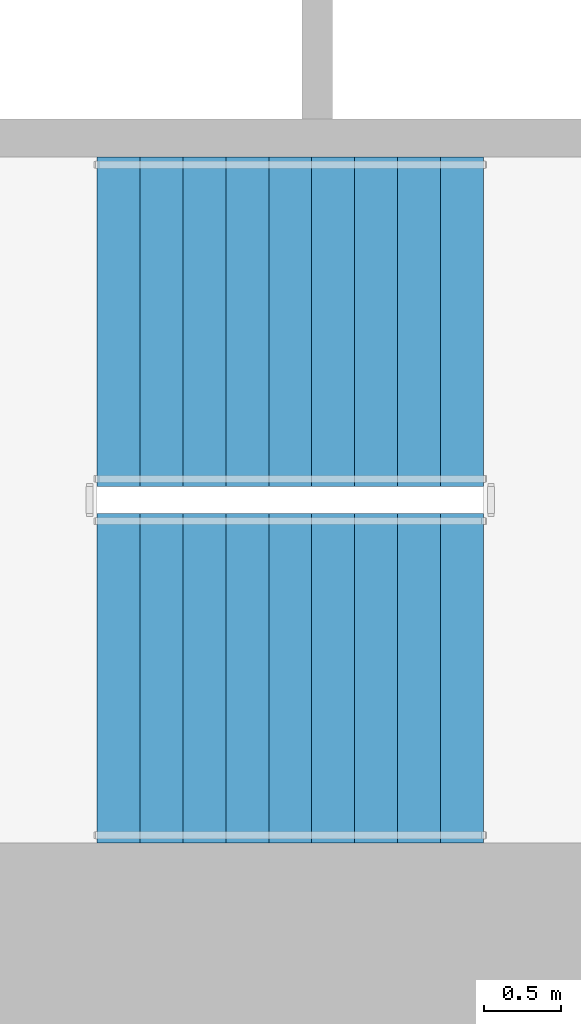
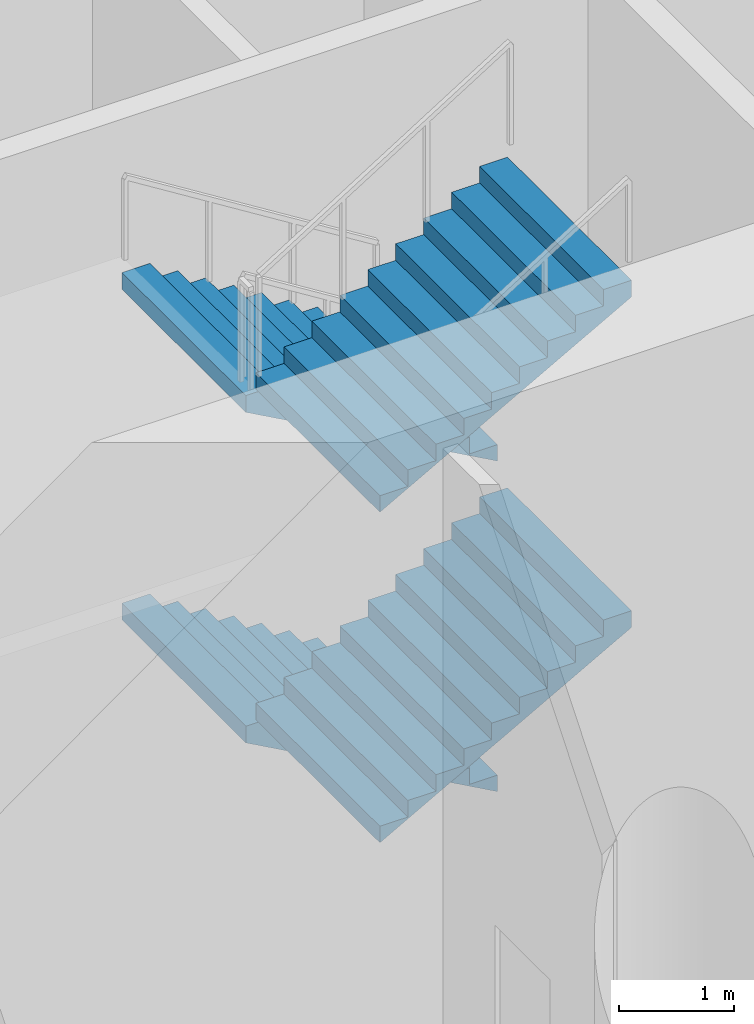
# One storey, part 15 of 22: 4 stair flights, 1 element without a shape of its own.
"""IFC4 building model written with IfcOpenShell, lengths in metres."""

from ifc_helpers import new_model, si_unit, direction, frame, origin, place, context, subcontext, project, spatial, triangles, material, type_object, element, aggregate, save


model = new_model("IFC4")

# Units and contexts
model_context = context("Model", 3, precision=1e-05, world=origin(), true_north=direction((0.0, 1.0)))
body_context = subcontext(model_context, "Body", "Model", "MODEL_VIEW")
ifc_project = project(units=[si_unit("LENGTHUNIT", "METRE"), si_unit("AREAUNIT", "SQUARE_METRE"), si_unit("VOLUMEUNIT", "CUBIC_METRE"), si_unit("PLANEANGLEUNIT", "RADIAN"), si_unit("MASSUNIT", "GRAM", prefix="KILO")], contexts=[model_context])

# Site, building, storey
site_placement = place(None, origin())
site = spatial("IfcSite", under=ifc_project, at=site_placement, CompositionType="ELEMENT")
building_placement = place(site_placement, origin())
building = spatial("IfcBuilding", under=site, at=building_placement, Name="Cypress Arch Tower", CompositionType="ELEMENT")
storey_placement = place(building_placement, frame((0.0, 0.0, 145.5)))
storey = spatial("IfcBuildingStorey", under=building, at=storey_placement, Name="L32", CompositionType="ELEMENT", Elevation=145.5)

# Stair, stair flights
ifc_material_1 = material(Name="Concrete C40/50", Category="concrete")
stair_type = type_object("IfcStairType", Name="Exit stair ES1750-215", PredefinedType="HALF_TURN_STAIR", material=ifc_material_1)
stair_placement = place(storey_placement, origin())
stair = element("IfcStair", 1, at=stair_placement, inside=storey, type_object=stair_type, Name="L32 Exit stair A", PredefinedType="HALF_TURN_STAIR")
ifc_material_2 = material(Name="Concrete C40/50", Category="concrete")
stair_flight_type = type_object("IfcStairFlightType", Name="Exit stair flight ES1750-215", PredefinedType="STRAIGHT", material=ifc_material_2)
stair_flight_1_placement = place(storey_placement, frame((-22.27490234375, -11.39990234375, 0.0), z_axis=(0.0, 0.0, 1.0), x_axis=(-1.0, 0.0, 0.0)))
stair_flight_1 = element("IfcStairFlight", 2, at=stair_flight_1_placement, type_object=stair_flight_type, Name="A flight 1", NumberOfRisers=10, NumberOfTreads=9, PredefinedType="STRAIGHT", RiserHeight=0.175, TreadLength=0.28, context=body_context, shape_type="Tessellation", body=[
    triangles([(0.0, -1.074951171875, 0.0), (0.000244140625, -1.074951171875, 0.01953125), (0.000244140625, -1.074951171875, 0.038818359375), (0.00048828125, -1.074951171875, 0.058349609375), (0.00048828125, -1.074951171875, 0.077880859375), (0.00048828125, -1.074951171875, 0.09716796875), (0.00048828125, -1.074951171875, 0.11669921875), (0.000244140625, -1.074951171875, 0.13623046875), (0.000244140625, -1.074951171875, 0.155517578125), (0.0, -1.074951171875, 0.175048828125), (0.280029296875, -1.074951171875, 0.175048828125), (0.280029296875, -1.074951171875, 0.35009765625), (0.56005859375, -1.074951171875, 0.35009765625), (0.56005859375, -1.074951171875, 0.52490234375), (0.840087890625, -1.074951171875, 0.52490234375), (0.840087890625, -1.074951171875, 0.699951171875), (1.1201171875, -1.074951171875, 0.699951171875), (1.1201171875, -1.074951171875, 0.875), (1.39990234375, -1.074951171875, 0.875), (1.39990234375, -1.074951171875, 1.050048828125), (1.679931640625, -1.074951171875, 1.050048828125), (1.679931640625, -1.074951171875, 1.22509765625), (1.9599609375, -1.074951171875, 1.22509765625), (1.9599609375, -1.074951171875, 1.39990234375), (2.239990234375, -1.074951171875, 1.39990234375), (2.239990234375, -1.074951171875, 1.574951171875), (2.52001953125, -1.074951171875, 1.574951171875), (2.519775390625, -1.074951171875, 1.555419921875), (2.519775390625, -1.074951171875, 1.53564453125), (2.51953125, -1.074951171875, 1.51611328125), (2.51953125, -1.074951171875, 1.496337890625), (2.51953125, -1.074951171875, 1.476806640625), (2.51953125, -1.074951171875, 1.45703125), (2.519775390625, -1.074951171875, 1.4375), (2.519775390625, -1.074951171875, 1.417724609375), (2.52001953125, -1.074951171875, 1.398193359375), (2.52001953125, 1.074951171875, 1.398193359375), (2.519775390625, 1.074951171875, 1.417724609375), (2.519775390625, 1.074951171875, 1.4375), (2.51953125, 1.074951171875, 1.45703125), (2.51953125, 1.074951171875, 1.476806640625), (2.51953125, 1.074951171875, 1.496337890625), (2.51953125, 1.074951171875, 1.51611328125), (2.519775390625, 1.074951171875, 1.53564453125), (2.519775390625, 1.074951171875, 1.555419921875), (2.52001953125, 1.074951171875, 1.574951171875), (2.239990234375, 1.074951171875, 1.574951171875), (2.239990234375, 1.074951171875, 1.39990234375), (1.9599609375, 1.074951171875, 1.39990234375), (1.9599609375, 1.074951171875, 1.22509765625), (1.679931640625, 1.074951171875, 1.22509765625), (1.679931640625, 1.074951171875, 1.050048828125), (1.39990234375, 1.074951171875, 1.050048828125), (1.39990234375, 1.074951171875, 0.875), (1.1201171875, 1.074951171875, 0.875), (1.1201171875, 1.074951171875, 0.699951171875), (0.840087890625, 1.074951171875, 0.699951171875), (0.840087890625, 1.074951171875, 0.52490234375), (0.56005859375, 1.074951171875, 0.52490234375), (0.56005859375, 1.074951171875, 0.35009765625), (0.280029296875, 1.074951171875, 0.35009765625), (0.280029296875, 1.074951171875, 0.175048828125), (0.0, 1.074951171875, 0.175048828125), (0.000244140625, 1.074951171875, 0.155517578125), (0.000244140625, 1.074951171875, 0.13623046875), (0.00048828125, 1.074951171875, 0.11669921875), (0.00048828125, 1.074951171875, 0.09716796875), (0.00048828125, 1.074951171875, 0.077880859375), (0.00048828125, 1.074951171875, 0.058349609375), (0.000244140625, 1.074951171875, 0.038818359375), (0.000244140625, 1.074951171875, 0.01953125), (0.0, 1.074951171875, 0.0), (2.519775390625, 0.0, 1.417724609375), (2.52001953125, 0.0, 1.398193359375), (2.519775390625, 0.0, 1.4375), (2.51953125, 0.0, 1.45703125), (2.51953125, 0.0, 1.476806640625), (2.51953125, 0.0, 1.496337890625), (2.51953125, 0.0, 1.51611328125), (2.519775390625, 0.0, 1.53564453125), (2.519775390625, 0.0, 1.555419921875), (2.52001953125, 0.0, 1.574951171875), (2.239990234375, 0.0, 1.574951171875), (2.239990234375, 0.0, 1.39990234375), (1.9599609375, 0.0, 1.39990234375), (1.9599609375, 0.0, 1.22509765625), (1.679931640625, 0.0, 1.22509765625), (1.679931640625, 0.0, 1.050048828125), (1.39990234375, 0.0, 1.050048828125), (1.39990234375, 0.0, 0.875), (1.1201171875, 0.0, 0.875), (1.1201171875, 0.0, 0.699951171875), (0.840087890625, 0.0, 0.699951171875), (0.840087890625, 0.0, 0.52490234375), (0.56005859375, 0.0, 0.52490234375), (0.56005859375, 0.0, 0.35009765625), (0.280029296875, 0.0, 0.35009765625), (0.280029296875, 0.0, 0.175048828125), (0.0, 0.0, 0.175048828125), (0.000244140625, 0.0, 0.155517578125), (0.000244140625, 0.0, 0.13623046875), (0.00048828125, 0.0, 0.11669921875), (0.00048828125, 0.0, 0.09716796875), (0.00048828125, 0.0, 0.077880859375), (0.00048828125, 0.0, 0.058349609375), (0.000244140625, 0.0, 0.038818359375), (0.000244140625, 0.0, 0.01953125), (0.0, 0.0, 0.0)], [[36, 35, 26], [35, 34, 26], [34, 33, 26], [33, 32, 26], [32, 31, 26], [31, 30, 26], [30, 29, 26], [29, 28, 26], [28, 27, 26], [19, 18, 17], [23, 22, 21], [21, 20, 19], [17, 16, 15], [13, 12, 11], [10, 9, 11], [9, 8, 11], [8, 7, 11], [7, 6, 11], [6, 5, 11], [5, 4, 11], [4, 3, 11], [3, 2, 11], [2, 1, 11], [25, 24, 23], [15, 14, 13], [36, 26, 25], [36, 25, 23], [36, 23, 21], [36, 21, 19], [36, 19, 17], [36, 17, 15], [1, 36, 15], [15, 13, 11], [15, 11, 1], [37, 47, 38], [38, 47, 39], [39, 47, 40], [40, 47, 41], [41, 47, 42], [42, 47, 43], [43, 47, 44], [44, 47, 45], [45, 47, 46], [54, 56, 55], [50, 52, 51], [52, 54, 53], [56, 58, 57], [60, 62, 61], [63, 62, 64], [64, 62, 65], [65, 62, 66], [66, 62, 67], [67, 62, 68], [68, 62, 69], [69, 62, 70], [70, 62, 71], [71, 62, 72], [48, 50, 49], [58, 60, 59], [37, 48, 47], [37, 50, 48], [37, 52, 50], [37, 54, 52], [37, 56, 54], [37, 58, 56], [72, 58, 37], [58, 62, 60], [58, 72, 62], [74, 73, 35], [74, 35, 36], [37, 38, 73], [37, 73, 74], [73, 75, 34], [73, 34, 35], [38, 39, 75], [38, 75, 73], [75, 76, 33], [75, 33, 34], [39, 40, 76], [39, 76, 75], [76, 77, 32], [76, 32, 33], [40, 41, 77], [40, 77, 76], [77, 78, 31], [77, 31, 32], [41, 42, 78], [41, 78, 77], [78, 79, 30], [78, 30, 31], [42, 43, 79], [42, 79, 78], [79, 80, 29], [79, 29, 30], [43, 44, 80], [43, 80, 79], [80, 81, 28], [80, 28, 29], [44, 45, 81], [44, 81, 80], [81, 82, 27], [81, 27, 28], [45, 46, 82], [45, 82, 81], [82, 83, 26], [82, 26, 27], [46, 47, 83], [46, 83, 82], [83, 84, 25], [83, 25, 26], [47, 48, 84], [47, 84, 83], [84, 85, 24], [84, 24, 25], [48, 49, 85], [48, 85, 84], [85, 86, 23], [85, 23, 24], [49, 50, 86], [49, 86, 85], [86, 87, 22], [86, 22, 23], [50, 51, 87], [50, 87, 86], [87, 88, 21], [87, 21, 22], [51, 52, 88], [51, 88, 87], [88, 89, 20], [88, 20, 21], [52, 53, 89], [52, 89, 88], [89, 90, 19], [89, 19, 20], [53, 54, 90], [53, 90, 89], [90, 91, 18], [90, 18, 19], [54, 55, 91], [54, 91, 90], [91, 92, 17], [91, 17, 18], [55, 56, 92], [55, 92, 91], [92, 93, 16], [92, 16, 17], [56, 57, 93], [56, 93, 92], [93, 94, 15], [93, 15, 16], [57, 58, 94], [57, 94, 93], [94, 95, 14], [94, 14, 15], [58, 59, 95], [58, 95, 94], [95, 96, 13], [95, 13, 14], [59, 60, 96], [59, 96, 95], [96, 97, 12], [96, 12, 13], [60, 61, 97], [60, 97, 96], [97, 98, 11], [97, 11, 12], [61, 62, 98], [61, 98, 97], [98, 99, 10], [98, 10, 11], [62, 63, 99], [62, 99, 98], [99, 100, 9], [99, 9, 10], [63, 64, 100], [63, 100, 99], [100, 101, 8], [100, 8, 9], [64, 65, 101], [64, 101, 100], [101, 102, 7], [101, 7, 8], [65, 66, 102], [65, 102, 101], [102, 103, 6], [102, 6, 7], [66, 67, 103], [66, 103, 102], [103, 104, 5], [103, 5, 6], [67, 68, 104], [67, 104, 103], [104, 105, 4], [104, 4, 5], [68, 69, 105], [68, 105, 104], [105, 106, 3], [105, 3, 4], [69, 70, 106], [69, 106, 105], [106, 107, 2], [106, 2, 3], [70, 71, 107], [70, 107, 106], [107, 108, 1], [107, 1, 2], [71, 72, 108], [71, 108, 107], [108, 74, 36], [108, 36, 1], [72, 37, 74], [72, 74, 108]], closed=True),
])
stair_flight_2_placement = place(storey_placement, frame((-24.794921875, -13.72509765625, 1.75), z_axis=(0.0, 0.0, 1.0), x_axis=(1.0, 0.0, 0.0)))
stair_flight_2 = element("IfcStairFlight", 3, at=stair_flight_2_placement, type_object=stair_flight_type, Name="A flight 2", NumberOfRisers=10, NumberOfTreads=9, PredefinedType="STRAIGHT", RiserHeight=0.175, TreadLength=0.28, context=body_context, shape_type="Tessellation", body=[
    triangles([(0.0, -1.074951171875, 0.0), (0.000244140625, -1.074951171875, 0.01953125), (0.000244140625, -1.074951171875, 0.038818359375), (0.00048828125, -1.074951171875, 0.058349609375), (0.00048828125, -1.074951171875, 0.077880859375), (0.00048828125, -1.074951171875, 0.09716796875), (0.00048828125, -1.074951171875, 0.11669921875), (0.000244140625, -1.074951171875, 0.13623046875), (0.000244140625, -1.074951171875, 0.155517578125), (0.0, -1.074951171875, 0.175048828125), (0.280029296875, -1.074951171875, 0.175048828125), (0.280029296875, -1.074951171875, 0.35009765625), (0.56005859375, -1.074951171875, 0.35009765625), (0.56005859375, -1.074951171875, 0.52490234375), (0.840087890625, -1.074951171875, 0.52490234375), (0.840087890625, -1.074951171875, 0.699951171875), (1.1201171875, -1.074951171875, 0.699951171875), (1.1201171875, -1.074951171875, 0.875), (1.39990234375, -1.074951171875, 0.875), (1.39990234375, -1.074951171875, 1.050048828125), (1.679931640625, -1.074951171875, 1.050048828125), (1.679931640625, -1.074951171875, 1.22509765625), (1.9599609375, -1.074951171875, 1.22509765625), (1.9599609375, -1.074951171875, 1.39990234375), (2.239990234375, -1.074951171875, 1.39990234375), (2.239990234375, -1.074951171875, 1.574951171875), (2.52001953125, -1.074951171875, 1.574951171875), (2.519775390625, -1.074951171875, 1.555419921875), (2.519775390625, -1.074951171875, 1.53564453125), (2.51953125, -1.074951171875, 1.51611328125), (2.51953125, -1.074951171875, 1.496337890625), (2.51953125, -1.074951171875, 1.476806640625), (2.51953125, -1.074951171875, 1.45703125), (2.519775390625, -1.074951171875, 1.4375), (2.519775390625, -1.074951171875, 1.417724609375), (2.52001953125, -1.074951171875, 1.398193359375), (2.52001953125, 1.074951171875, 1.398193359375), (2.519775390625, 1.074951171875, 1.417724609375), (2.519775390625, 1.074951171875, 1.4375), (2.51953125, 1.074951171875, 1.45703125), (2.51953125, 1.074951171875, 1.476806640625), (2.51953125, 1.074951171875, 1.496337890625), (2.51953125, 1.074951171875, 1.51611328125), (2.519775390625, 1.074951171875, 1.53564453125), (2.519775390625, 1.074951171875, 1.555419921875), (2.52001953125, 1.074951171875, 1.574951171875), (2.239990234375, 1.074951171875, 1.574951171875), (2.239990234375, 1.074951171875, 1.39990234375), (1.9599609375, 1.074951171875, 1.39990234375), (1.9599609375, 1.074951171875, 1.22509765625), (1.679931640625, 1.074951171875, 1.22509765625), (1.679931640625, 1.074951171875, 1.050048828125), (1.39990234375, 1.074951171875, 1.050048828125), (1.39990234375, 1.074951171875, 0.875), (1.1201171875, 1.074951171875, 0.875), (1.1201171875, 1.074951171875, 0.699951171875), (0.840087890625, 1.074951171875, 0.699951171875), (0.840087890625, 1.074951171875, 0.52490234375), (0.56005859375, 1.074951171875, 0.52490234375), (0.56005859375, 1.074951171875, 0.35009765625), (0.280029296875, 1.074951171875, 0.35009765625), (0.280029296875, 1.074951171875, 0.175048828125), (0.0, 1.074951171875, 0.175048828125), (0.000244140625, 1.074951171875, 0.155517578125), (0.000244140625, 1.074951171875, 0.13623046875), (0.00048828125, 1.074951171875, 0.11669921875), (0.00048828125, 1.074951171875, 0.09716796875), (0.00048828125, 1.074951171875, 0.077880859375), (0.00048828125, 1.074951171875, 0.058349609375), (0.000244140625, 1.074951171875, 0.038818359375), (0.000244140625, 1.074951171875, 0.01953125), (0.0, 1.074951171875, 0.0), (2.519775390625, 0.0, 1.417724609375), (2.52001953125, 0.0, 1.398193359375), (2.519775390625, 0.0, 1.4375), (2.51953125, 0.0, 1.45703125), (2.51953125, 0.0, 1.476806640625), (2.51953125, 0.0, 1.496337890625), (2.51953125, 0.0, 1.51611328125), (2.519775390625, 0.0, 1.53564453125), (2.519775390625, 0.0, 1.555419921875), (2.52001953125, 0.0, 1.574951171875), (2.239990234375, 0.0, 1.574951171875), (2.239990234375, 0.0, 1.39990234375), (1.9599609375, 0.0, 1.39990234375), (1.9599609375, 0.0, 1.22509765625), (1.679931640625, 0.0, 1.22509765625), (1.679931640625, 0.0, 1.050048828125), (1.39990234375, 0.0, 1.050048828125), (1.39990234375, 0.0, 0.875), (1.1201171875, 0.0, 0.875), (1.1201171875, 0.0, 0.699951171875), (0.840087890625, 0.0, 0.699951171875), (0.840087890625, 0.0, 0.52490234375), (0.56005859375, 0.0, 0.52490234375), (0.56005859375, 0.0, 0.35009765625), (0.280029296875, 0.0, 0.35009765625), (0.280029296875, 0.0, 0.175048828125), (0.0, 0.0, 0.175048828125), (0.000244140625, 0.0, 0.155517578125), (0.000244140625, 0.0, 0.13623046875), (0.00048828125, 0.0, 0.11669921875), (0.00048828125, 0.0, 0.09716796875), (0.00048828125, 0.0, 0.077880859375), (0.00048828125, 0.0, 0.058349609375), (0.000244140625, 0.0, 0.038818359375), (0.000244140625, 0.0, 0.01953125), (0.0, 0.0, 0.0)], [[36, 35, 26], [35, 34, 26], [34, 33, 26], [33, 32, 26], [32, 31, 26], [31, 30, 26], [30, 29, 26], [29, 28, 26], [28, 27, 26], [19, 18, 17], [23, 22, 21], [21, 20, 19], [17, 16, 15], [13, 12, 11], [10, 9, 11], [9, 8, 11], [8, 7, 11], [7, 6, 11], [6, 5, 11], [5, 4, 11], [4, 3, 11], [3, 2, 11], [2, 1, 11], [25, 24, 23], [15, 14, 13], [36, 26, 25], [36, 25, 23], [36, 23, 21], [36, 21, 19], [36, 19, 17], [36, 17, 15], [1, 36, 15], [15, 13, 11], [15, 11, 1], [37, 47, 38], [38, 47, 39], [39, 47, 40], [40, 47, 41], [41, 47, 42], [42, 47, 43], [43, 47, 44], [44, 47, 45], [45, 47, 46], [54, 56, 55], [50, 52, 51], [52, 54, 53], [56, 58, 57], [60, 62, 61], [63, 62, 64], [64, 62, 65], [65, 62, 66], [66, 62, 67], [67, 62, 68], [68, 62, 69], [69, 62, 70], [70, 62, 71], [71, 62, 72], [48, 50, 49], [58, 60, 59], [37, 48, 47], [37, 50, 48], [37, 52, 50], [37, 54, 52], [37, 56, 54], [37, 58, 56], [72, 58, 37], [58, 62, 60], [58, 72, 62], [74, 73, 35], [74, 35, 36], [37, 38, 73], [37, 73, 74], [73, 75, 34], [73, 34, 35], [38, 39, 75], [38, 75, 73], [75, 76, 33], [75, 33, 34], [39, 40, 76], [39, 76, 75], [76, 77, 32], [76, 32, 33], [40, 41, 77], [40, 77, 76], [77, 78, 31], [77, 31, 32], [41, 42, 78], [41, 78, 77], [78, 79, 30], [78, 30, 31], [42, 43, 79], [42, 79, 78], [79, 80, 29], [79, 29, 30], [43, 44, 80], [43, 80, 79], [80, 81, 28], [80, 28, 29], [44, 45, 81], [44, 81, 80], [81, 82, 27], [81, 27, 28], [45, 46, 82], [45, 82, 81], [82, 83, 26], [82, 26, 27], [46, 47, 83], [46, 83, 82], [83, 84, 25], [83, 25, 26], [47, 48, 84], [47, 84, 83], [84, 85, 24], [84, 24, 25], [48, 49, 85], [48, 85, 84], [85, 86, 23], [85, 23, 24], [49, 50, 86], [49, 86, 85], [86, 87, 22], [86, 22, 23], [50, 51, 87], [50, 87, 86], [87, 88, 21], [87, 21, 22], [51, 52, 88], [51, 88, 87], [88, 89, 20], [88, 20, 21], [52, 53, 89], [52, 89, 88], [89, 90, 19], [89, 19, 20], [53, 54, 90], [53, 90, 89], [90, 91, 18], [90, 18, 19], [54, 55, 91], [54, 91, 90], [91, 92, 17], [91, 17, 18], [55, 56, 92], [55, 92, 91], [92, 93, 16], [92, 16, 17], [56, 57, 93], [56, 93, 92], [93, 94, 15], [93, 15, 16], [57, 58, 94], [57, 94, 93], [94, 95, 14], [94, 14, 15], [58, 59, 95], [58, 95, 94], [95, 96, 13], [95, 13, 14], [59, 60, 96], [59, 96, 95], [96, 97, 12], [96, 12, 13], [60, 61, 97], [60, 97, 96], [97, 98, 11], [97, 11, 12], [61, 62, 98], [61, 98, 97], [98, 99, 10], [98, 10, 11], [62, 63, 99], [62, 99, 98], [99, 100, 9], [99, 9, 10], [63, 64, 100], [63, 100, 99], [100, 101, 8], [100, 8, 9], [64, 65, 101], [64, 101, 100], [101, 102, 7], [101, 7, 8], [65, 66, 102], [65, 102, 101], [102, 103, 6], [102, 6, 7], [66, 67, 103], [66, 103, 102], [103, 104, 5], [103, 5, 6], [67, 68, 104], [67, 104, 103], [104, 105, 4], [104, 4, 5], [68, 69, 105], [68, 105, 104], [105, 106, 3], [105, 3, 4], [69, 70, 106], [69, 106, 105], [106, 107, 2], [106, 2, 3], [70, 71, 107], [70, 107, 106], [107, 108, 1], [107, 1, 2], [71, 72, 108], [71, 108, 107], [108, 74, 36], [108, 36, 1], [72, 37, 74], [72, 74, 108]], closed=True),
])
stair_flight_3_placement = place(storey_placement, frame((-22.27490234375, -11.39990234375, 3.5), z_axis=(0.0, 0.0, 1.0), x_axis=(-1.0, 0.0, 0.0)))
stair_flight_3 = element("IfcStairFlight", 4, at=stair_flight_3_placement, type_object=stair_flight_type, Name="A flight 3", NumberOfRisers=10, NumberOfTreads=9, PredefinedType="STRAIGHT", RiserHeight=0.175, TreadLength=0.28, context=body_context, shape_type="Tessellation", body=[
    triangles([(0.0, -1.074951171875, 0.0), (0.000244140625, -1.074951171875, 0.01953125), (0.000244140625, -1.074951171875, 0.038818359375), (0.00048828125, -1.074951171875, 0.058349609375), (0.00048828125, -1.074951171875, 0.077880859375), (0.00048828125, -1.074951171875, 0.09716796875), (0.00048828125, -1.074951171875, 0.11669921875), (0.000244140625, -1.074951171875, 0.13623046875), (0.000244140625, -1.074951171875, 0.155517578125), (0.0, -1.074951171875, 0.175048828125), (0.280029296875, -1.074951171875, 0.175048828125), (0.280029296875, -1.074951171875, 0.35009765625), (0.56005859375, -1.074951171875, 0.35009765625), (0.56005859375, -1.074951171875, 0.52490234375), (0.840087890625, -1.074951171875, 0.52490234375), (0.840087890625, -1.074951171875, 0.699951171875), (1.1201171875, -1.074951171875, 0.699951171875), (1.1201171875, -1.074951171875, 0.875), (1.39990234375, -1.074951171875, 0.875), (1.39990234375, -1.074951171875, 1.050048828125), (1.679931640625, -1.074951171875, 1.050048828125), (1.679931640625, -1.074951171875, 1.22509765625), (1.9599609375, -1.074951171875, 1.22509765625), (1.9599609375, -1.074951171875, 1.39990234375), (2.239990234375, -1.074951171875, 1.39990234375), (2.239990234375, -1.074951171875, 1.574951171875), (2.52001953125, -1.074951171875, 1.574951171875), (2.519775390625, -1.074951171875, 1.555419921875), (2.519775390625, -1.074951171875, 1.53564453125), (2.51953125, -1.074951171875, 1.51611328125), (2.51953125, -1.074951171875, 1.496337890625), (2.51953125, -1.074951171875, 1.476806640625), (2.51953125, -1.074951171875, 1.45703125), (2.519775390625, -1.074951171875, 1.4375), (2.519775390625, -1.074951171875, 1.417724609375), (2.52001953125, -1.074951171875, 1.398193359375), (2.52001953125, 1.074951171875, 1.398193359375), (2.519775390625, 1.074951171875, 1.417724609375), (2.519775390625, 1.074951171875, 1.4375), (2.51953125, 1.074951171875, 1.45703125), (2.51953125, 1.074951171875, 1.476806640625), (2.51953125, 1.074951171875, 1.496337890625), (2.51953125, 1.074951171875, 1.51611328125), (2.519775390625, 1.074951171875, 1.53564453125), (2.519775390625, 1.074951171875, 1.555419921875), (2.52001953125, 1.074951171875, 1.574951171875), (2.239990234375, 1.074951171875, 1.574951171875), (2.239990234375, 1.074951171875, 1.39990234375), (1.9599609375, 1.074951171875, 1.39990234375), (1.9599609375, 1.074951171875, 1.22509765625), (1.679931640625, 1.074951171875, 1.22509765625), (1.679931640625, 1.074951171875, 1.050048828125), (1.39990234375, 1.074951171875, 1.050048828125), (1.39990234375, 1.074951171875, 0.875), (1.1201171875, 1.074951171875, 0.875), (1.1201171875, 1.074951171875, 0.699951171875), (0.840087890625, 1.074951171875, 0.699951171875), (0.840087890625, 1.074951171875, 0.52490234375), (0.56005859375, 1.074951171875, 0.52490234375), (0.56005859375, 1.074951171875, 0.35009765625), (0.280029296875, 1.074951171875, 0.35009765625), (0.280029296875, 1.074951171875, 0.175048828125), (0.0, 1.074951171875, 0.175048828125), (0.000244140625, 1.074951171875, 0.155517578125), (0.000244140625, 1.074951171875, 0.13623046875), (0.00048828125, 1.074951171875, 0.11669921875), (0.00048828125, 1.074951171875, 0.09716796875), (0.00048828125, 1.074951171875, 0.077880859375), (0.00048828125, 1.074951171875, 0.058349609375), (0.000244140625, 1.074951171875, 0.038818359375), (0.000244140625, 1.074951171875, 0.01953125), (0.0, 1.074951171875, 0.0), (2.519775390625, 0.0, 1.417724609375), (2.52001953125, 0.0, 1.398193359375), (2.519775390625, 0.0, 1.4375), (2.51953125, 0.0, 1.45703125), (2.51953125, 0.0, 1.476806640625), (2.51953125, 0.0, 1.496337890625), (2.51953125, 0.0, 1.51611328125), (2.519775390625, 0.0, 1.53564453125), (2.519775390625, 0.0, 1.555419921875), (2.52001953125, 0.0, 1.574951171875), (2.239990234375, 0.0, 1.574951171875), (2.239990234375, 0.0, 1.39990234375), (1.9599609375, 0.0, 1.39990234375), (1.9599609375, 0.0, 1.22509765625), (1.679931640625, 0.0, 1.22509765625), (1.679931640625, 0.0, 1.050048828125), (1.39990234375, 0.0, 1.050048828125), (1.39990234375, 0.0, 0.875), (1.1201171875, 0.0, 0.875), (1.1201171875, 0.0, 0.699951171875), (0.840087890625, 0.0, 0.699951171875), (0.840087890625, 0.0, 0.52490234375), (0.56005859375, 0.0, 0.52490234375), (0.56005859375, 0.0, 0.35009765625), (0.280029296875, 0.0, 0.35009765625), (0.280029296875, 0.0, 0.175048828125), (0.0, 0.0, 0.175048828125), (0.000244140625, 0.0, 0.155517578125), (0.000244140625, 0.0, 0.13623046875), (0.00048828125, 0.0, 0.11669921875), (0.00048828125, 0.0, 0.09716796875), (0.00048828125, 0.0, 0.077880859375), (0.00048828125, 0.0, 0.058349609375), (0.000244140625, 0.0, 0.038818359375), (0.000244140625, 0.0, 0.01953125), (0.0, 0.0, 0.0)], [[36, 35, 26], [35, 34, 26], [34, 33, 26], [33, 32, 26], [32, 31, 26], [31, 30, 26], [30, 29, 26], [29, 28, 26], [28, 27, 26], [19, 18, 17], [23, 22, 21], [21, 20, 19], [17, 16, 15], [13, 12, 11], [10, 9, 11], [9, 8, 11], [8, 7, 11], [7, 6, 11], [6, 5, 11], [5, 4, 11], [4, 3, 11], [3, 2, 11], [2, 1, 11], [25, 24, 23], [15, 14, 13], [36, 26, 25], [36, 25, 23], [36, 23, 21], [36, 21, 19], [36, 19, 17], [36, 17, 15], [1, 36, 15], [15, 13, 11], [15, 11, 1], [37, 47, 38], [38, 47, 39], [39, 47, 40], [40, 47, 41], [41, 47, 42], [42, 47, 43], [43, 47, 44], [44, 47, 45], [45, 47, 46], [54, 56, 55], [50, 52, 51], [52, 54, 53], [56, 58, 57], [60, 62, 61], [63, 62, 64], [64, 62, 65], [65, 62, 66], [66, 62, 67], [67, 62, 68], [68, 62, 69], [69, 62, 70], [70, 62, 71], [71, 62, 72], [48, 50, 49], [58, 60, 59], [37, 48, 47], [37, 50, 48], [37, 52, 50], [37, 54, 52], [37, 56, 54], [37, 58, 56], [72, 58, 37], [58, 62, 60], [58, 72, 62], [74, 73, 35], [74, 35, 36], [37, 38, 73], [37, 73, 74], [73, 75, 34], [73, 34, 35], [38, 39, 75], [38, 75, 73], [75, 76, 33], [75, 33, 34], [39, 40, 76], [39, 76, 75], [76, 77, 32], [76, 32, 33], [40, 41, 77], [40, 77, 76], [77, 78, 31], [77, 31, 32], [41, 42, 78], [41, 78, 77], [78, 79, 30], [78, 30, 31], [42, 43, 79], [42, 79, 78], [79, 80, 29], [79, 29, 30], [43, 44, 80], [43, 80, 79], [80, 81, 28], [80, 28, 29], [44, 45, 81], [44, 81, 80], [81, 82, 27], [81, 27, 28], [45, 46, 82], [45, 82, 81], [82, 83, 26], [82, 26, 27], [46, 47, 83], [46, 83, 82], [83, 84, 25], [83, 25, 26], [47, 48, 84], [47, 84, 83], [84, 85, 24], [84, 24, 25], [48, 49, 85], [48, 85, 84], [85, 86, 23], [85, 23, 24], [49, 50, 86], [49, 86, 85], [86, 87, 22], [86, 22, 23], [50, 51, 87], [50, 87, 86], [87, 88, 21], [87, 21, 22], [51, 52, 88], [51, 88, 87], [88, 89, 20], [88, 20, 21], [52, 53, 89], [52, 89, 88], [89, 90, 19], [89, 19, 20], [53, 54, 90], [53, 90, 89], [90, 91, 18], [90, 18, 19], [54, 55, 91], [54, 91, 90], [91, 92, 17], [91, 17, 18], [55, 56, 92], [55, 92, 91], [92, 93, 16], [92, 16, 17], [56, 57, 93], [56, 93, 92], [93, 94, 15], [93, 15, 16], [57, 58, 94], [57, 94, 93], [94, 95, 14], [94, 14, 15], [58, 59, 95], [58, 95, 94], [95, 96, 13], [95, 13, 14], [59, 60, 96], [59, 96, 95], [96, 97, 12], [96, 12, 13], [60, 61, 97], [60, 97, 96], [97, 98, 11], [97, 11, 12], [61, 62, 98], [61, 98, 97], [98, 99, 10], [98, 10, 11], [62, 63, 99], [62, 99, 98], [99, 100, 9], [99, 9, 10], [63, 64, 100], [63, 100, 99], [100, 101, 8], [100, 8, 9], [64, 65, 101], [64, 101, 100], [101, 102, 7], [101, 7, 8], [65, 66, 102], [65, 102, 101], [102, 103, 6], [102, 6, 7], [66, 67, 103], [66, 103, 102], [103, 104, 5], [103, 5, 6], [67, 68, 104], [67, 104, 103], [104, 105, 4], [104, 4, 5], [68, 69, 105], [68, 105, 104], [105, 106, 3], [105, 3, 4], [69, 70, 106], [69, 106, 105], [106, 107, 2], [106, 2, 3], [70, 71, 107], [70, 107, 106], [107, 108, 1], [107, 1, 2], [71, 72, 108], [71, 108, 107], [108, 74, 36], [108, 36, 1], [72, 37, 74], [72, 74, 108]], closed=True),
])
stair_flight_4_placement = place(storey_placement, frame((-24.794921875, -13.72509765625, 5.25), z_axis=(0.0, 0.0, 1.0), x_axis=(1.0, 0.0, 0.0)))
stair_flight_4 = element("IfcStairFlight", 5, at=stair_flight_4_placement, type_object=stair_flight_type, Name="A flight 4", NumberOfRisers=10, NumberOfTreads=9, PredefinedType="STRAIGHT", RiserHeight=0.175, TreadLength=0.28, context=body_context, shape_type="Tessellation", body=[
    triangles([(0.0, -1.074951171875, 0.0), (0.000244140625, -1.074951171875, 0.01953125), (0.000244140625, -1.074951171875, 0.038818359375), (0.00048828125, -1.074951171875, 0.058349609375), (0.00048828125, -1.074951171875, 0.077880859375), (0.00048828125, -1.074951171875, 0.09716796875), (0.00048828125, -1.074951171875, 0.11669921875), (0.000244140625, -1.074951171875, 0.13623046875), (0.000244140625, -1.074951171875, 0.155517578125), (0.0, -1.074951171875, 0.175048828125), (0.280029296875, -1.074951171875, 0.175048828125), (0.280029296875, -1.074951171875, 0.35009765625), (0.56005859375, -1.074951171875, 0.35009765625), (0.56005859375, -1.074951171875, 0.52490234375), (0.840087890625, -1.074951171875, 0.52490234375), (0.840087890625, -1.074951171875, 0.699951171875), (1.1201171875, -1.074951171875, 0.699951171875), (1.1201171875, -1.074951171875, 0.875), (1.39990234375, -1.074951171875, 0.875), (1.39990234375, -1.074951171875, 1.050048828125), (1.679931640625, -1.074951171875, 1.050048828125), (1.679931640625, -1.074951171875, 1.22509765625), (1.9599609375, -1.074951171875, 1.22509765625), (1.9599609375, -1.074951171875, 1.39990234375), (2.239990234375, -1.074951171875, 1.39990234375), (2.239990234375, -1.074951171875, 1.574951171875), (2.52001953125, -1.074951171875, 1.574951171875), (2.519775390625, -1.074951171875, 1.555419921875), (2.519775390625, -1.074951171875, 1.53564453125), (2.51953125, -1.074951171875, 1.51611328125), (2.51953125, -1.074951171875, 1.496337890625), (2.51953125, -1.074951171875, 1.476806640625), (2.51953125, -1.074951171875, 1.45703125), (2.519775390625, -1.074951171875, 1.4375), (2.519775390625, -1.074951171875, 1.417724609375), (2.52001953125, -1.074951171875, 1.398193359375), (2.52001953125, 1.074951171875, 1.398193359375), (2.519775390625, 1.074951171875, 1.417724609375), (2.519775390625, 1.074951171875, 1.4375), (2.51953125, 1.074951171875, 1.45703125), (2.51953125, 1.074951171875, 1.476806640625), (2.51953125, 1.074951171875, 1.496337890625), (2.51953125, 1.074951171875, 1.51611328125), (2.519775390625, 1.074951171875, 1.53564453125), (2.519775390625, 1.074951171875, 1.555419921875), (2.52001953125, 1.074951171875, 1.574951171875), (2.239990234375, 1.074951171875, 1.574951171875), (2.239990234375, 1.074951171875, 1.39990234375), (1.9599609375, 1.074951171875, 1.39990234375), (1.9599609375, 1.074951171875, 1.22509765625), (1.679931640625, 1.074951171875, 1.22509765625), (1.679931640625, 1.074951171875, 1.050048828125), (1.39990234375, 1.074951171875, 1.050048828125), (1.39990234375, 1.074951171875, 0.875), (1.1201171875, 1.074951171875, 0.875), (1.1201171875, 1.074951171875, 0.699951171875), (0.840087890625, 1.074951171875, 0.699951171875), (0.840087890625, 1.074951171875, 0.52490234375), (0.56005859375, 1.074951171875, 0.52490234375), (0.56005859375, 1.074951171875, 0.35009765625), (0.280029296875, 1.074951171875, 0.35009765625), (0.280029296875, 1.074951171875, 0.175048828125), (0.0, 1.074951171875, 0.175048828125), (0.000244140625, 1.074951171875, 0.155517578125), (0.000244140625, 1.074951171875, 0.13623046875), (0.00048828125, 1.074951171875, 0.11669921875), (0.00048828125, 1.074951171875, 0.09716796875), (0.00048828125, 1.074951171875, 0.077880859375), (0.00048828125, 1.074951171875, 0.058349609375), (0.000244140625, 1.074951171875, 0.038818359375), (0.000244140625, 1.074951171875, 0.01953125), (0.0, 1.074951171875, 0.0), (2.519775390625, 0.0, 1.417724609375), (2.52001953125, 0.0, 1.398193359375), (2.519775390625, 0.0, 1.4375), (2.51953125, 0.0, 1.45703125), (2.51953125, 0.0, 1.476806640625), (2.51953125, 0.0, 1.496337890625), (2.51953125, 0.0, 1.51611328125), (2.519775390625, 0.0, 1.53564453125), (2.519775390625, 0.0, 1.555419921875), (2.52001953125, 0.0, 1.574951171875), (2.239990234375, 0.0, 1.574951171875), (2.239990234375, 0.0, 1.39990234375), (1.9599609375, 0.0, 1.39990234375), (1.9599609375, 0.0, 1.22509765625), (1.679931640625, 0.0, 1.22509765625), (1.679931640625, 0.0, 1.050048828125), (1.39990234375, 0.0, 1.050048828125), (1.39990234375, 0.0, 0.875), (1.1201171875, 0.0, 0.875), (1.1201171875, 0.0, 0.699951171875), (0.840087890625, 0.0, 0.699951171875), (0.840087890625, 0.0, 0.52490234375), (0.56005859375, 0.0, 0.52490234375), (0.56005859375, 0.0, 0.35009765625), (0.280029296875, 0.0, 0.35009765625), (0.280029296875, 0.0, 0.175048828125), (0.0, 0.0, 0.175048828125), (0.000244140625, 0.0, 0.155517578125), (0.000244140625, 0.0, 0.13623046875), (0.00048828125, 0.0, 0.11669921875), (0.00048828125, 0.0, 0.09716796875), (0.00048828125, 0.0, 0.077880859375), (0.00048828125, 0.0, 0.058349609375), (0.000244140625, 0.0, 0.038818359375), (0.000244140625, 0.0, 0.01953125), (0.0, 0.0, 0.0)], [[36, 35, 26], [35, 34, 26], [34, 33, 26], [33, 32, 26], [32, 31, 26], [31, 30, 26], [30, 29, 26], [29, 28, 26], [28, 27, 26], [19, 18, 17], [23, 22, 21], [21, 20, 19], [17, 16, 15], [13, 12, 11], [10, 9, 11], [9, 8, 11], [8, 7, 11], [7, 6, 11], [6, 5, 11], [5, 4, 11], [4, 3, 11], [3, 2, 11], [2, 1, 11], [25, 24, 23], [15, 14, 13], [36, 26, 25], [36, 25, 23], [36, 23, 21], [36, 21, 19], [36, 19, 17], [36, 17, 15], [1, 36, 15], [15, 13, 11], [15, 11, 1], [37, 47, 38], [38, 47, 39], [39, 47, 40], [40, 47, 41], [41, 47, 42], [42, 47, 43], [43, 47, 44], [44, 47, 45], [45, 47, 46], [54, 56, 55], [50, 52, 51], [52, 54, 53], [56, 58, 57], [60, 62, 61], [63, 62, 64], [64, 62, 65], [65, 62, 66], [66, 62, 67], [67, 62, 68], [68, 62, 69], [69, 62, 70], [70, 62, 71], [71, 62, 72], [48, 50, 49], [58, 60, 59], [37, 48, 47], [37, 50, 48], [37, 52, 50], [37, 54, 52], [37, 56, 54], [37, 58, 56], [72, 58, 37], [58, 62, 60], [58, 72, 62], [74, 73, 35], [74, 35, 36], [37, 38, 73], [37, 73, 74], [73, 75, 34], [73, 34, 35], [38, 39, 75], [38, 75, 73], [75, 76, 33], [75, 33, 34], [39, 40, 76], [39, 76, 75], [76, 77, 32], [76, 32, 33], [40, 41, 77], [40, 77, 76], [77, 78, 31], [77, 31, 32], [41, 42, 78], [41, 78, 77], [78, 79, 30], [78, 30, 31], [42, 43, 79], [42, 79, 78], [79, 80, 29], [79, 29, 30], [43, 44, 80], [43, 80, 79], [80, 81, 28], [80, 28, 29], [44, 45, 81], [44, 81, 80], [81, 82, 27], [81, 27, 28], [45, 46, 82], [45, 82, 81], [82, 83, 26], [82, 26, 27], [46, 47, 83], [46, 83, 82], [83, 84, 25], [83, 25, 26], [47, 48, 84], [47, 84, 83], [84, 85, 24], [84, 24, 25], [48, 49, 85], [48, 85, 84], [85, 86, 23], [85, 23, 24], [49, 50, 86], [49, 86, 85], [86, 87, 22], [86, 22, 23], [50, 51, 87], [50, 87, 86], [87, 88, 21], [87, 21, 22], [51, 52, 88], [51, 88, 87], [88, 89, 20], [88, 20, 21], [52, 53, 89], [52, 89, 88], [89, 90, 19], [89, 19, 20], [53, 54, 90], [53, 90, 89], [90, 91, 18], [90, 18, 19], [54, 55, 91], [54, 91, 90], [91, 92, 17], [91, 17, 18], [55, 56, 92], [55, 92, 91], [92, 93, 16], [92, 16, 17], [56, 57, 93], [56, 93, 92], [93, 94, 15], [93, 15, 16], [57, 58, 94], [57, 94, 93], [94, 95, 14], [94, 14, 15], [58, 59, 95], [58, 95, 94], [95, 96, 13], [95, 13, 14], [59, 60, 96], [59, 96, 95], [96, 97, 12], [96, 12, 13], [60, 61, 97], [60, 97, 96], [97, 98, 11], [97, 11, 12], [61, 62, 98], [61, 98, 97], [98, 99, 10], [98, 10, 11], [62, 63, 99], [62, 99, 98], [99, 100, 9], [99, 9, 10], [63, 64, 100], [63, 100, 99], [100, 101, 8], [100, 8, 9], [64, 65, 101], [64, 101, 100], [101, 102, 7], [101, 7, 8], [65, 66, 102], [65, 102, 101], [102, 103, 6], [102, 6, 7], [66, 67, 103], [66, 103, 102], [103, 104, 5], [103, 5, 6], [67, 68, 104], [67, 104, 103], [104, 105, 4], [104, 4, 5], [68, 69, 105], [68, 105, 104], [105, 106, 3], [105, 3, 4], [69, 70, 106], [69, 106, 105], [106, 107, 2], [106, 2, 3], [70, 71, 107], [70, 107, 106], [107, 108, 1], [107, 1, 2], [71, 72, 108], [71, 108, 107], [108, 74, 36], [108, 36, 1], [72, 37, 74], [72, 74, 108]], closed=True),
])
aggregate(stair, [stair_flight_1, stair_flight_2, stair_flight_3, stair_flight_4])

save(model, "model.ifc")
